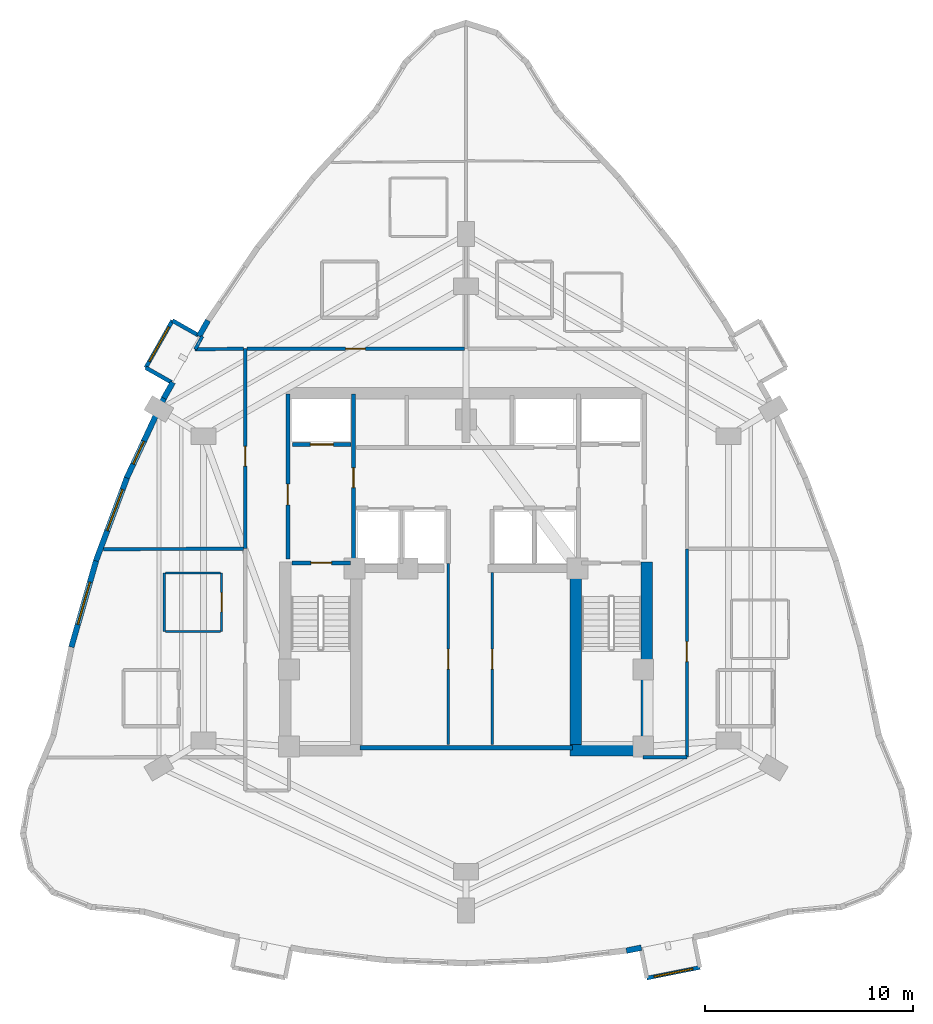
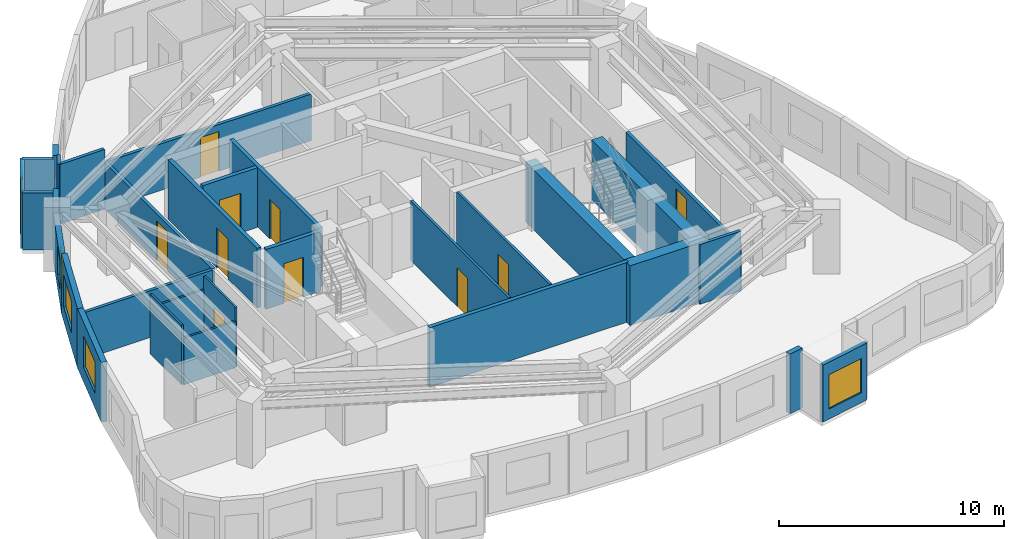
# One storey, part 6 of 10: 31 walls, 10 doors, 5 windows, 15 openings.
"""IFC4 building model written with IfcOpenShell, lengths in metres."""

from ifc_helpers import new_model, si_unit, direction, frame, frame_2d, origin, place, context, subcontext, project, spatial, rectangle, extrude, material, layer, layer_set, type_object, element, fill, save


model = new_model("IFC4")

# Units and contexts
model_context = context("Model", 3, precision=1e-05, world=origin(), true_north=direction((0.0, 1.0)))
body_context = subcontext(model_context, "Body", "Model", "MODEL_VIEW")
ifc_project = project(units=[si_unit("LENGTHUNIT", "METRE"), si_unit("AREAUNIT", "SQUARE_METRE"), si_unit("VOLUMEUNIT", "CUBIC_METRE"), si_unit("PLANEANGLEUNIT", "RADIAN"), si_unit("MASSUNIT", "GRAM", prefix="KILO")], contexts=[model_context])

# Site, building, storey
site_placement = place(None, origin())
site = spatial("IfcSite", under=ifc_project, at=site_placement, CompositionType="ELEMENT")
building_placement = place(site_placement, origin())
building = spatial("IfcBuilding", under=site, at=building_placement, Name="Miruveldt Soraemaru", CompositionType="ELEMENT")
storey_placement = place(building_placement, frame((0.0, 0.0, 166.89990234375)))
storey = spatial("IfcBuildingStorey", under=building, at=storey_placement, Name="L46", CompositionType="ELEMENT", Elevation=166.89990234375)

# Walls
ifc_material_1 = material(Name="White powder-coated aluminium EN AW-6060 T6", Category="aluminium")
ifc_layer_1 = layer(ifc_material_1, 0.18994140625, Name="White powder-coated aluminium EN AW-6060 T6", Category="aluminium")
ifc_layer_set_1 = layer_set([ifc_layer_1], Name="White powder-coated aluminium EN AW-6060 T6")
wall_type_1 = type_object("IfcWallType", Name="WALL-BAY-ALU190", PredefinedType="SOLIDWALL", material=ifc_layer_set_1)
for number, where, z_axis, x_axis, name in (
    (1, (31.150634765625, 55.244140625, 0.0), (0.0, 0.0, 1.0), (-0.869799191674, 0.493405883794, 0.0), "L46 Bay Window Side Cheek 1L"),
    (2, (28.62841796875, 53.685791015625, 0.0), (0.0, 0.0, 1.0), (0.869799191674, -0.493405883794, 0.0), "L46 Bay Window Side Cheek 1R"),
):
    element("IfcWall", number, at=place(storey_placement, frame(where, z_axis=z_axis, x_axis=x_axis)), inside=storey, type_object=wall_type_1, Name=name, PredefinedType="SOLIDWALL", context=body_context, shape_type="SweptSolid", body=[
        extrude(rectangle(XDim=1.425048828125, YDim=0.18994140625, at=frame_2d((0.71240234375, 0.0))), origin(), (0.0, 0.0, 1.0), 3.085205078125),
    ])

# Wall, opening, window
wall_1_placement = place(storey_placement, frame((29.9111328125, 55.947265625, 0.0), z_axis=(0.0, 0.0, 1.0), x_axis=(-0.493365555553, -0.869822067203, 0.0)))
wall_1 = element("IfcWall", 3, at=wall_1_placement, inside=storey, type_object=wall_type_1, Name="L46 Bay Window Front Frame 1", PredefinedType="SOLIDWALL", context=body_context, shape_type="SweptSolid", body=[
    extrude(rectangle(XDim=2.599853515625, YDim=0.18994140625, at=frame_2d((1.2998046875, 0.0))), origin(), (0.0, 0.0, 1.0), 3.085205078125),
])
opening_1_placement = place(wall_1_placement, frame((0.35009765625, 0.0, 0.550048828125)))
opening_1 = element("IfcOpeningElement", 4, at=opening_1_placement, cuts=wall_1, Name="Opening WN-6", PredefinedType="OPENING", context=body_context, shape_type="SweptSolid", body=[
    extrude(rectangle(XDim=1.89990234375, YDim=1.85009765625, at=frame_2d((0.949951171875, 0.925048828125))), frame((0.0, 0.10498046875, 0.0), z_axis=(0.0, -1.0, 0.0), x_axis=(1.0, 0.0, 0.0)), (0.0, 0.0, 1.0), 0.2099609375),
])
ifc_material_2 = material(Name="Triple low-e insulated glazing", Category="glass")
window_type_1 = type_object("IfcWindowType", Name="WIN-BAYW-1900x1850", PartitioningType="SINGLE_PANEL", PredefinedType="WINDOW", material=ifc_material_2)
window_1_placement = place(opening_1_placement, origin())
window_1 = element("IfcWindow", 5, at=window_1_placement, inside=storey, type_object=window_type_1, Name="L46 Projecting Bay Window 1", OverallHeight=1.85009765625, OverallWidth=1.89990234375, PartitioningType="SINGLE_PANEL", PredefinedType="WINDOW", context=body_context, shape_type="SweptSolid", body=[
    extrude(rectangle(XDim=1.89990234375, YDim=1.85009765625, at=frame_2d((0.949951171875, 0.925048828125))), frame((0.0, 0.030029296875, 0.0), z_axis=(0.0, -1.0, 0.0), x_axis=(1.0, 0.0, 0.0)), (0.0, 0.0, 1.0), 0.06005859375),
])
fill(opening_1, window_1)

wall_2_placement = place(storey_placement, frame((52.6748046875, 24.39599609375, 0.0), z_axis=(0.0, 0.0, 1.0), x_axis=(0.980569838849, 0.196170311564, 0.0)))
wall_2 = element("IfcWall", 6, at=wall_2_placement, inside=storey, type_object=wall_type_1, Name="L46 Bay Window Front Frame 3", PredefinedType="SOLIDWALL", context=body_context, shape_type="SweptSolid", body=[
    extrude(rectangle(XDim=2.599853515625, YDim=0.18994140625, at=frame_2d((1.2998046875, 0.0))), origin(), (0.0, 0.0, 1.0), 3.085205078125),
])
opening_2_placement = place(wall_2_placement, frame((0.35009765625, 0.0, 0.550048828125)))
opening_2 = element("IfcOpeningElement", 7, at=opening_2_placement, cuts=wall_2, Name="Opening WN-6", PredefinedType="OPENING", context=body_context, shape_type="SweptSolid", body=[
    extrude(rectangle(XDim=1.89990234375, YDim=1.85009765625, at=frame_2d((0.949951171875, 0.925048828125))), frame((0.0, 0.10498046875, 0.0), z_axis=(0.0, -1.0, 0.0), x_axis=(1.0, 0.0, 0.0)), (0.0, 0.0, 1.0), 0.2099609375),
])
window_2_placement = place(opening_2_placement, origin())
window_2 = element("IfcWindow", 8, at=window_2_placement, inside=storey, type_object=window_type_1, Name="L46 Projecting Bay Window 3", OverallHeight=1.85009765625, OverallWidth=1.89990234375, PartitioningType="SINGLE_PANEL", PredefinedType="WINDOW", context=body_context, shape_type="SweptSolid", body=[
    extrude(rectangle(XDim=1.89990234375, YDim=1.85009765625, at=frame_2d((0.949951171875, 0.925048828125))), frame((0.0, 0.030029296875, 0.0), z_axis=(0.0, -1.0, 0.0), x_axis=(1.0, 0.0, 0.0)), (0.0, 0.0, 1.0), 0.06005859375),
])
fill(opening_2, window_2)

# Walls
ifc_material_3 = material(Name="Concrete C70/85 (70 MPa)", Category="concrete")
ifc_layer_2 = layer(ifc_material_3, 0.550048828125, Name="Concrete C70/85 (70 MPa)", Category="concrete")
ifc_layer_set_2 = layer_set([ifc_layer_2], Name="Concrete C70/85 (70 MPa)")
wall_type_2 = type_object("IfcWallType", Name="WALL-CW-550", PredefinedType="SHEAR", material=ifc_layer_set_2)
wall_3_placement = place(storey_placement, frame((49.0, 35.324951171875, 0.0), z_axis=(0.0, 0.0, 1.0), x_axis=(1.0, 0.0, 0.0)))
element("IfcWall", 9, at=wall_3_placement, inside=storey, type_object=wall_type_2, Name="L46 Central Core Shear Wall S2", PredefinedType="SHEAR", context=body_context, shape_type="SweptSolid", body=[
    extrude(rectangle(XDim=3.949951171875, YDim=0.550048828125, at=frame_2d((1.97509765625, 0.0))), origin(), (0.0, 0.0, 1.0), 3.235107421875),
])
wall_4_placement = place(storey_placement, frame((52.675048828125, 35.050048828125, 0.0), z_axis=(0.0, 0.0, 1.0), x_axis=(0.0, 1.0, 0.0)))
element("IfcWall", 10, at=wall_4_placement, inside=storey, type_object=wall_type_2, Name="L46 Central Core Shear Wall E1", PredefinedType="SHEAR", context=body_context, shape_type="SweptSolid", body=[
    extrude(rectangle(XDim=9.300048828125, YDim=0.550048828125, at=frame_2d((4.64990234375, 0.0))), origin(), (0.0, 0.0, 1.0), 3.235107421875),
])
wall_5_placement = place(storey_placement, frame((49.27490234375, 35.39990234375, 0.0), z_axis=(0.0, 0.0, 1.0), x_axis=(0.0, 1.0, 0.0)))
element("IfcWall", 11, at=wall_5_placement, inside=storey, type_object=wall_type_2, Name="L46 Central Core Shear Wall SE-INT", PredefinedType="SHEAR", context=body_context, shape_type="SweptSolid", body=[
    extrude(rectangle(XDim=8.9501953125, YDim=0.550048828125, at=frame_2d((4.47509765625, 0.0))), origin(), (0.0, 0.0, 1.0), 3.235107421875),
])
ifc_material_4 = material(Name="Precast concrete C45/55 (45 MPa)", Category="concrete")
ifc_layer_3 = layer(ifc_material_4, 0.27001953125, Name="Precast concrete C45/55 (45 MPa)", Category="concrete")
ifc_layer_set_3 = layer_set([ifc_layer_3], Name="Precast concrete C45/55 (45 MPa)")
wall_type_3 = type_object("IfcWallType", Name="WALL-EXT-PC270", PredefinedType="SOLIDWALL", material=ifc_layer_set_3)
for number, where, z_axis, x_axis, name in (
    (12, (31.615234375, 55.951904296875, 0.0), (0.0, 0.0, 1.0), (-0.493371618473, -0.86981862827, 0.0), "L46 Precast Pier Wall 10A"),
    (13, (29.930419921875, 52.981689453125, 0.0), (0.0, 0.0, 1.0), (-0.493371618473, -0.86981862827, 0.0), "L46 Precast Pier Wall 10B"),
):
    element("IfcWall", number, at=place(storey_placement, frame(where, z_axis=z_axis, x_axis=x_axis)), inside=storey, type_object=wall_type_3, Name=name, PredefinedType="SOLIDWALL", context=body_context, shape_type="SweptSolid", body=[
        extrude(rectangle(XDim=0.875, YDim=0.27001953125, at=frame_2d((0.4375, 0.0))), origin(), (0.0, 0.0, 1.0), 3.235107421875),
    ])

# Wall, opening, window
wall_6_placement = place(storey_placement, frame((29.531005859375, 52.282958984375, 0.0), z_axis=(0.0, 0.0, 1.0), x_axis=(-0.422296510574, -0.906457752549, 0.0)))
wall_6 = element("IfcWall", 14, at=wall_6_placement, inside=storey, type_object=wall_type_3, Name="L46 Precast Concrete Facade Wall 11", PredefinedType="SOLIDWALL", context=body_context, shape_type="SweptSolid", body=[
    extrude(rectangle(XDim=4.289794921875, YDim=0.27001953125, at=frame_2d((2.14501953125, 0.0))), origin(), (0.0, 0.0, 1.0), 2.523193359375),
])
opening_3_placement = place(wall_6_placement, frame((2.34912109375, 0.0, 0.780029296875)))
opening_3 = element("IfcOpeningElement", 15, at=opening_3_placement, cuts=wall_6, Name="Opening WN-4", PredefinedType="OPENING", context=body_context, shape_type="SweptSolid", body=[
    extrude(rectangle(XDim=1.199951171875, YDim=1.550048828125, at=frame_2d((0.60009765625, 0.77490234375))), frame((0.0, 0.14501953125, 0.0), z_axis=(0.0, -1.0, 0.0), x_axis=(1.0, 0.0, 0.0)), (0.0, 0.0, 1.0), 0.2900390625),
])
window_type_2 = type_object("IfcWindowType", Name="WIN-PUNCH-1200x1550", PartitioningType="SINGLE_PANEL", PredefinedType="WINDOW", material=ifc_material_2)
window_3_placement = place(opening_3_placement, origin())
window_3 = element("IfcWindow", 16, at=window_3_placement, inside=storey, type_object=window_type_2, Name="L46 Punched Triple-Glazed Window 11.1", OverallHeight=1.550048828125, OverallWidth=1.199951171875, PartitioningType="SINGLE_PANEL", PredefinedType="WINDOW", context=body_context, shape_type="SweptSolid", body=[
    extrude(rectangle(XDim=1.199951171875, YDim=1.550048828125, at=frame_2d((0.60009765625, 0.77490234375))), frame((0.0, 0.030029296875, 0.0), z_axis=(0.0, -1.0, 0.0), x_axis=(1.0, 0.0, 0.0)), (0.0, 0.0, 1.0), 0.06005859375),
])
fill(opening_3, window_3)

wall_7_placement = place(storey_placement, frame((27.74658203125, 48.458984375, 0.0), z_axis=(0.0, 0.0, 1.0), x_axis=(-0.349039876874, -0.937107872313, 0.0)))
wall_7 = element("IfcWall", 17, at=wall_7_placement, inside=storey, type_object=wall_type_3, Name="L46 Precast Concrete Facade Wall 12", PredefinedType="SOLIDWALL", context=body_context, shape_type="SweptSolid", body=[
    extrude(rectangle(XDim=4.31640625, YDim=0.27001953125, at=frame_2d((2.158203125, 0.0))), origin(), (0.0, 0.0, 1.0), 3.235107421875),
])
opening_4_placement = place(wall_7_placement, frame((0.660888671875, 0.0, 0.800048828125)))
opening_4 = element("IfcOpeningElement", 18, at=opening_4_placement, cuts=wall_7, Name="Opening WN-1", PredefinedType="OPENING", context=body_context, shape_type="SweptSolid", body=[
    extrude(rectangle(XDim=2.10009765625, YDim=1.699951171875, at=frame_2d((1.050048828125, 0.85009765625))), frame((0.0, 0.14501953125, 0.0), z_axis=(0.0, -1.0, 0.0), x_axis=(1.0, 0.0, 0.0)), (0.0, 0.0, 1.0), 0.2900390625),
])
window_type_3 = type_object("IfcWindowType", Name="WIN-PUNCH-2100x1700", PartitioningType="SINGLE_PANEL", PredefinedType="WINDOW", material=ifc_material_2)
window_4_placement = place(opening_4_placement, origin())
window_4 = element("IfcWindow", 19, at=window_4_placement, inside=storey, type_object=window_type_3, Name="L46 Punched Triple-Glazed Window 12.1", OverallHeight=1.699951171875, OverallWidth=2.10009765625, PartitioningType="SINGLE_PANEL", PredefinedType="WINDOW", context=body_context, shape_type="SweptSolid", body=[
    extrude(rectangle(XDim=2.10009765625, YDim=1.699951171875, at=frame_2d((1.050048828125, 0.85009765625))), frame((0.0, 0.030029296875, 0.0), z_axis=(0.0, -1.0, 0.0), x_axis=(1.0, 0.0, 0.0)), (0.0, 0.0, 1.0), 0.06005859375),
])
fill(opening_4, window_4)

wall_8_placement = place(storey_placement, frame((26.26171875, 44.480712890625, 0.0), z_axis=(0.0, 0.0, 1.0), x_axis=(-0.274935112835, -0.961462783331, 0.0)))
wall_8 = element("IfcWall", 20, at=wall_8_placement, inside=storey, type_object=wall_type_3, Name="L46 Precast Concrete Facade Wall 13", PredefinedType="SOLIDWALL", context=body_context, shape_type="SweptSolid", body=[
    extrude(rectangle(XDim=4.369873046875, YDim=0.27001953125, at=frame_2d((2.18505859375, 0.0))), origin(), (0.0, 0.0, 1.0), 3.235107421875),
])
opening_5_placement = place(wall_8_placement, frame((1.135009765625, 0.0, 0.800048828125)))
opening_5 = element("IfcOpeningElement", 21, at=opening_5_placement, cuts=wall_8, Name="Opening WN-1", PredefinedType="OPENING", context=body_context, shape_type="SweptSolid", body=[
    extrude(rectangle(XDim=2.10009765625, YDim=1.699951171875, at=frame_2d((1.050048828125, 0.85009765625))), frame((0.0, 0.14501953125, 0.0), z_axis=(0.0, -1.0, 0.0), x_axis=(1.0, 0.0, 0.0)), (0.0, 0.0, 1.0), 0.2900390625),
])
window_5_placement = place(opening_5_placement, origin())
window_5 = element("IfcWindow", 22, at=window_5_placement, inside=storey, type_object=window_type_3, Name="L46 Punched Triple-Glazed Window 13.1", OverallHeight=1.699951171875, OverallWidth=2.10009765625, PartitioningType="SINGLE_PANEL", PredefinedType="WINDOW", context=body_context, shape_type="SweptSolid", body=[
    extrude(rectangle(XDim=2.10009765625, YDim=1.699951171875, at=frame_2d((1.050048828125, 0.85009765625))), frame((0.0, 0.030029296875, 0.0), z_axis=(0.0, -1.0, 0.0), x_axis=(1.0, 0.0, 0.0)), (0.0, 0.0, 1.0), 0.06005859375),
])
fill(opening_5, window_5)

# Wall
wall_9_placement = place(storey_placement, frame((51.693115234375, 25.708984375, 0.0), z_axis=(0.0, 0.0, 1.0), x_axis=(0.980542330577, 0.196307763337, 0.0)))
element("IfcWall", 23, at=wall_9_placement, inside=storey, type_object=wall_type_3, Name="L46 Precast Pier Wall 27A", PredefinedType="SOLIDWALL", context=body_context, shape_type="SweptSolid", body=[
    extrude(rectangle(XDim=0.735107421875, YDim=0.27001953125, at=frame_2d((0.36767578125, 0.0))), origin(), (0.0, 0.0, 1.0), 3.235107421875),
])

# Wall, opening, door
ifc_material_5 = material(Name="Gypsum plasterboard lining", Category="gypsum")
ifc_layer_4 = layer(ifc_material_5, 0.10009765625, Name="Gypsum plasterboard lining", Category="gypsum")
ifc_layer_set_4 = layer_set([ifc_layer_4], Name="Gypsum plasterboard lining")
wall_type_4 = type_object("IfcWallType", Name="WALL-INT-P100", PredefinedType="PARTITIONING", material=ifc_layer_set_4)
wall_10_placement = place(storey_placement, frame((32.26611328125, 41.030029296875, 0.0), z_axis=(0.0, 0.0, 1.0), x_axis=(0.0, 1.0, 0.0)))
wall_10 = element("IfcWall", 24, at=wall_10_placement, inside=storey, type_object=wall_type_4, Name="L46 Partition Wall 38", PredefinedType="PARTITIONING", context=body_context, shape_type="SweptSolid", body=[
    extrude(rectangle(XDim=2.800048828125, YDim=0.10009765625, at=frame_2d((1.39990234375, 0.0))), origin(), (0.0, 0.0, 1.0), 3.235107421875),
])
opening_6_placement = place(wall_10_placement, frame((0.93994140625, 0.0, 0.0)))
opening_6 = element("IfcOpeningElement", 25, at=opening_6_placement, cuts=wall_10, Name="Opening D3A", PredefinedType="OPENING", context=body_context, shape_type="SweptSolid", body=[
    extrude(rectangle(XDim=0.919921875, YDim=2.10009765625, at=frame_2d((0.4599609375, 1.050048828125))), frame((0.0, 0.06005859375, 0.0), z_axis=(0.0, -1.0, 0.0), x_axis=(1.0, 0.0, 0.0)), (0.0, 0.0, 1.0), 0.1201171875),
])
ifc_material_6 = material(Name="Anodised aluminium EN AW-6063 T6", Category="aluminium")
door_type_1 = type_object("IfcDoorType", Name="DOOR-INT-920", OperationType="NOTDEFINED", PredefinedType="DOOR", material=ifc_material_6)
door_1_placement = place(opening_6_placement, origin())
door_1 = element("IfcDoor", 26, at=door_1_placement, inside=storey, type_object=door_type_1, Name="L46 Unit 4604 KIT Door", OperationType="SINGLE_SWING_LEFT", OverallHeight=2.10009765625, OverallWidth=0.919921875, PredefinedType="DOOR", context=body_context, shape_type="SweptSolid", body=[
    extrude(rectangle(XDim=0.919921875, YDim=2.10009765625, at=frame_2d((0.4599609375, 1.050048828125))), frame((0.0, 0.02490234375, 0.0), z_axis=(0.0, -1.0, 0.0), x_axis=(1.0, 0.0, 0.0)), (0.0, 0.0, 1.0), 0.050048828125),
])
fill(opening_6, door_1)

# Walls
wall_11_placement = place(storey_placement, frame((29.51611328125, 43.830078125, 0.0), z_axis=(0.0, 0.0, 1.0), x_axis=(0.0, -1.0, 0.0)))
element("IfcWall", 27, at=wall_11_placement, inside=storey, type_object=wall_type_4, Name="L46 Partition Wall 40", PredefinedType="PARTITIONING", context=body_context, shape_type="SweptSolid", body=[
    extrude(rectangle(XDim=2.800048828125, YDim=0.10009765625, at=frame_2d((1.39990234375, 0.0))), origin(), (0.0, 0.0, 1.0), 3.235107421875),
])
for number, where, z_axis, x_axis, name in (
    (28, (32.216064453125, 43.830078125, 0.0), (0.0, 0.0, 1.0), (-1.0, 0.0, 0.0), "L46 Partition Wall 39"),
    (29, (29.56591796875, 41.030029296875, 0.0), (0.0, 0.0, 1.0), (1.0, 0.0, 0.0), "L46 Partition Wall 41"),
):
    element("IfcWall", number, at=place(storey_placement, frame(where, z_axis=z_axis, x_axis=x_axis)), inside=storey, type_object=wall_type_4, Name=name, PredefinedType="PARTITIONING", context=body_context, shape_type="SweptSolid", body=[
        extrude(rectangle(XDim=2.650146484375, YDim=0.10009765625, at=frame_2d((1.3251953125, 0.0))), origin(), (0.0, 0.0, 1.0), 2.523193359375),
    ])

# Wall, opening, door
ifc_layer_5 = layer(ifc_material_5, 0.1201171875, Name="Gypsum plasterboard lining", Category="gypsum")
ifc_layer_set_5 = layer_set([ifc_layer_5], Name="Gypsum plasterboard lining")
wall_type_5 = type_object("IfcWallType", Name="WALL-INT-P120", PredefinedType="PARTITIONING", material=ifc_layer_set_5)
wall_12_placement = place(storey_placement, frame((43.14990234375, 35.60009765625, 0.0), z_axis=(0.0, 0.0, 1.0), x_axis=(0.0, 1.0, 0.0)))
wall_12 = element("IfcWall", 30, at=wall_12_placement, inside=storey, type_object=wall_type_5, Name="L46 Core Compartment Wall SP-WL", PredefinedType="PARTITIONING", context=body_context, shape_type="SweptSolid", body=[
    extrude(rectangle(XDim=8.699951171875, YDim=0.1201171875, at=frame_2d((4.35009765625, 0.0))), origin(), (0.0, 0.0, 1.0), 3.235107421875),
])
opening_7_placement = place(wall_12_placement, frame((3.625, 0.0, 0.0)))
opening_7 = element("IfcOpeningElement", 31, at=opening_7_placement, cuts=wall_12, Name="Opening D2", PredefinedType="OPENING", context=body_context, shape_type="SweptSolid", body=[
    extrude(rectangle(XDim=0.949951171875, YDim=2.10009765625, at=frame_2d((0.47509765625, 1.050048828125))), frame((0.0, 0.070068359375, 0.0), z_axis=(0.0, -1.0, 0.0), x_axis=(1.0, 0.0, 0.0)), (0.0, 0.0, 1.0), 0.14013671875),
])
door_type_2 = type_object("IfcDoorType", Name="DOOR-INT-950", OperationType="NOTDEFINED", PredefinedType="DOOR", material=ifc_material_6)
door_2_placement = place(opening_7_placement, origin())
door_2 = element("IfcDoor", 32, at=door_2_placement, inside=storey, type_object=door_type_2, Name="L46 Fire Door", OperationType="SINGLE_SWING_LEFT", OverallHeight=2.10009765625, OverallWidth=0.949951171875, PredefinedType="DOOR", context=body_context, shape_type="SweptSolid", body=[
    extrude(rectangle(XDim=0.949951171875, YDim=2.10009765625, at=frame_2d((0.47509765625, 1.050048828125))), frame((0.0, 0.02490234375, 0.0), z_axis=(0.0, -1.0, 0.0), x_axis=(1.0, 0.0, 0.0)), (0.0, 0.0, 1.0), 0.050048828125),
])
fill(opening_7, door_2)

wall_13_placement = place(storey_placement, frame((45.25, 35.60009765625, 0.0), z_axis=(0.0, 0.0, 1.0), x_axis=(0.0, 1.0, 0.0)))
wall_13 = element("IfcWall", 33, at=wall_13_placement, inside=storey, type_object=wall_type_5, Name="L46 Core Compartment Wall SP-EL", PredefinedType="PARTITIONING", context=body_context, shape_type="SweptSolid", body=[
    extrude(rectangle(XDim=8.25, YDim=0.1201171875, at=frame_2d((4.125, 0.0))), origin(), (0.0, 0.0, 1.0), 3.235107421875),
])
opening_8_placement = place(wall_13_placement, frame((3.625, 0.0, 0.0)))
opening_8 = element("IfcOpeningElement", 34, at=opening_8_placement, cuts=wall_13, Name="Opening D2", PredefinedType="OPENING", context=body_context, shape_type="SweptSolid", body=[
    extrude(rectangle(XDim=0.949951171875, YDim=2.10009765625, at=frame_2d((0.47509765625, 1.050048828125))), frame((0.0, 0.070068359375, 0.0), z_axis=(0.0, -1.0, 0.0), x_axis=(1.0, 0.0, 0.0)), (0.0, 0.0, 1.0), 0.14013671875),
])
door_3_placement = place(opening_8_placement, origin())
door_3 = element("IfcDoor", 35, at=door_3_placement, inside=storey, type_object=door_type_2, Name="L46 Fire Door", OperationType="SINGLE_SWING_LEFT", OverallHeight=2.10009765625, OverallWidth=0.949951171875, PredefinedType="DOOR", context=body_context, shape_type="SweptSolid", body=[
    extrude(rectangle(XDim=0.949951171875, YDim=2.10009765625, at=frame_2d((0.47509765625, 1.050048828125))), frame((0.0, 0.02490234375, 0.0), z_axis=(0.0, -1.0, 0.0), x_axis=(1.0, 0.0, 0.0)), (0.0, 0.0, 1.0), 0.050048828125),
])
fill(opening_8, door_3)

ifc_material_7 = material(Name="Concrete C40/50 (40 MPa)", Category="concrete")
ifc_layer_6 = layer(ifc_material_7, 0.159912109375, Name="Concrete C40/50 (40 MPa)", Category="concrete")
ifc_layer_set_6 = layer_set([ifc_layer_6], Name="Concrete C40/50 (40 MPa)")
wall_type_6 = type_object("IfcWallType", Name="WALL-INT-RC160", PredefinedType="SOLIDWALL", material=ifc_layer_set_6)
wall_14_placement = place(storey_placement, frame((43.9169921875, 54.60009765625, 0.0), z_axis=(0.0, 0.0, 1.0), x_axis=(-1.0, 0.0, 0.0)))
wall_14 = element("IfcWall", 36, at=wall_14_placement, inside=storey, type_object=wall_type_6, Name="L46 Partition Wall 1", PredefinedType="SOLIDWALL", context=body_context, shape_type="SweptSolid", body=[
    extrude(rectangle(XDim=10.43701171875, YDim=0.159912109375, at=frame_2d((5.218505859375, 0.0))), origin(), (0.0, 0.0, 1.0), 2.523193359375),
])
opening_9_placement = place(wall_14_placement, frame((4.743896484375, 0.0, 0.0)))
opening_9 = element("IfcOpeningElement", 37, at=opening_9_placement, cuts=wall_14, Name="Opening FD2", PredefinedType="OPENING", context=body_context, shape_type="SweptSolid", body=[
    extrude(rectangle(XDim=0.949951171875, YDim=2.14990234375, at=frame_2d((0.47509765625, 1.074951171875))), frame((0.0, 0.08984375, 0.0), z_axis=(0.0, -1.0, 0.0), x_axis=(1.0, 0.0, 0.0)), (0.0, 0.0, 1.0), 0.179931640625),
])
door_type_3 = type_object("IfcDoorType", Name="DOOR-FD2-950", OperationType="NOTDEFINED", PredefinedType="DOOR", material=ifc_material_6)
door_4_placement = place(opening_9_placement, origin())
door_4 = element("IfcDoor", 38, at=door_4_placement, inside=storey, type_object=door_type_3, Name="L46 Unit 4601 Entrance Fire Door", OperationType="SINGLE_SWING_RIGHT", OverallHeight=2.14990234375, OverallWidth=0.949951171875, PredefinedType="DOOR", context=body_context, shape_type="SweptSolid", body=[
    extrude(rectangle(XDim=0.949951171875, YDim=2.14990234375, at=frame_2d((0.47509765625, 1.074951171875))), frame((0.0, 0.02490234375, 0.0), z_axis=(0.0, -1.0, 0.0), x_axis=(1.0, 0.0, 0.0)), (0.0, 0.0, 1.0), 0.050048828125),
])
fill(opening_9, door_4)

wall_15_placement = place(storey_placement, frame((54.60009765625, 35.0, 0.0), z_axis=(0.0, 0.0, 1.0), x_axis=(0.0, 1.0, 0.0)))
wall_15 = element("IfcWall", 39, at=wall_15_placement, inside=storey, type_object=wall_type_6, Name="L46 Partition Wall 10", PredefinedType="SOLIDWALL", context=body_context, shape_type="SweptSolid", body=[
    extrude(rectangle(XDim=9.992919921875, YDim=0.159912109375, at=frame_2d((4.99658203125, 0.0))), origin(), (0.0, 0.0, 1.0), 2.523193359375),
])
opening_10_placement = place(wall_15_placement, frame((4.5849609375, 0.0, 0.0)))
opening_10 = element("IfcOpeningElement", 40, at=opening_10_placement, cuts=wall_15, Name="Opening FD2", PredefinedType="OPENING", context=body_context, shape_type="SweptSolid", body=[
    extrude(rectangle(XDim=0.949951171875, YDim=2.14990234375, at=frame_2d((0.47509765625, 1.074951171875))), frame((0.0, 0.08984375, 0.0), z_axis=(0.0, -1.0, 0.0), x_axis=(1.0, 0.0, 0.0)), (0.0, 0.0, 1.0), 0.179931640625),
])
door_5_placement = place(opening_10_placement, origin())
door_5 = element("IfcDoor", 41, at=door_5_placement, inside=storey, type_object=door_type_3, Name="L46 Unit 4606 Entrance Fire Door", OperationType="SINGLE_SWING_LEFT", OverallHeight=2.14990234375, OverallWidth=0.949951171875, PredefinedType="DOOR", context=body_context, shape_type="SweptSolid", body=[
    extrude(rectangle(XDim=0.949951171875, YDim=2.14990234375, at=frame_2d((0.47509765625, 1.074951171875))), frame((0.0, 0.02490234375, 0.0), z_axis=(0.0, -1.0, 0.0), x_axis=(1.0, 0.0, 0.0)), (0.0, 0.0, 1.0), 0.050048828125),
])
fill(opening_10, door_5)

wall_16_placement = place(storey_placement, frame((33.39990234375, 54.60009765625, 0.0), z_axis=(0.0, 0.0, 1.0), x_axis=(0.0, -1.0, 0.0)))
wall_16 = element("IfcWall", 42, at=wall_16_placement, inside=storey, type_object=wall_type_6, Name="L46 Partition Wall 3", PredefinedType="SOLIDWALL", context=body_context, shape_type="SweptSolid", body=[
    extrude(rectangle(XDim=9.60009765625, YDim=0.159912109375, at=frame_2d((4.800048828125, 0.0))), origin(), (0.0, 0.0, 1.0), 2.523193359375),
])
opening_11_placement = place(wall_16_placement, frame((4.68505859375, 0.0, 0.0)))
opening_11 = element("IfcOpeningElement", 43, at=opening_11_placement, cuts=wall_16, Name="Opening FD2", PredefinedType="OPENING", context=body_context, shape_type="SweptSolid", body=[
    extrude(rectangle(XDim=0.949951171875, YDim=2.14990234375, at=frame_2d((0.47509765625, 1.074951171875))), frame((0.0, 0.08984375, 0.0), z_axis=(0.0, -1.0, 0.0), x_axis=(1.0, 0.0, 0.0)), (0.0, 0.0, 1.0), 0.179931640625),
])
door_6_placement = place(opening_11_placement, origin())
door_6 = element("IfcDoor", 44, at=door_6_placement, inside=storey, type_object=door_type_3, Name="L46 Unit CL03 Entrance Fire Door", OperationType="SINGLE_SWING_RIGHT", OverallHeight=2.14990234375, OverallWidth=0.949951171875, PredefinedType="DOOR", context=body_context, shape_type="SweptSolid", body=[
    extrude(rectangle(XDim=0.949951171875, YDim=2.14990234375, at=frame_2d((0.47509765625, 1.074951171875))), frame((0.0, 0.02490234375, 0.0), z_axis=(0.0, -1.0, 0.0), x_axis=(1.0, 0.0, 0.0)), (0.0, 0.0, 1.0), 0.050048828125),
])
fill(opening_11, door_6)

# Walls
wall_17_placement = place(storey_placement, frame((26.60888671875, 44.97509765625, 0.0), z_axis=(0.0, 0.0, 1.0), x_axis=(0.999993115887, 0.003710549595, 0.0)))
element("IfcWall", 45, at=wall_17_placement, inside=storey, type_object=wall_type_6, Name="L46 Partition Wall 33", PredefinedType="SOLIDWALL", context=body_context, shape_type="SweptSolid", body=[
    extrude(rectangle(XDim=6.711181640625, YDim=0.159912109375, at=frame_2d((3.35546875, 0.0))), origin(), (0.0, 0.0, 1.0), 2.523193359375),
])
wall_18_placement = place(storey_placement, frame((31.0009765625, 54.56494140625, 0.0), z_axis=(0.0, 0.0, 1.0), x_axis=(0.999891407569, 0.014736793037, 0.0)))
element("IfcWall", 46, at=wall_18_placement, inside=storey, type_object=wall_type_6, Name="L46 Partition Wall 21", PredefinedType="SOLIDWALL", context=body_context, shape_type="SweptSolid", body=[
    extrude(rectangle(XDim=2.3193359375, YDim=0.159912109375, at=frame_2d((1.15966796875, 0.0))), origin(), (0.0, 0.0, 1.0), 3.235107421875),
])
wall_19_placement = place(storey_placement, frame((52.49609375, 35.0, 0.0), z_axis=(0.0, 0.0, 1.0), x_axis=(1.0, 0.0, 0.0)))
element("IfcWall", 47, at=wall_19_placement, inside=storey, type_object=wall_type_6, Name="L46 Partition Wall 9", PredefinedType="SOLIDWALL", context=body_context, shape_type="SweptSolid", body=[
    extrude(rectangle(XDim=2.10400390625, YDim=0.159912109375, at=frame_2d((1.052001953125, 0.0))), origin(), (0.0, 0.0, 1.0), 3.235107421875),
])
wall_20_placement = place(storey_placement, frame((31.0009765625, 54.56494140625, 0.0), z_axis=(0.0, 0.0, 1.0), x_axis=(0.485062759836, 0.874479341677, 0.0)))
element("IfcWall", 48, at=wall_20_placement, inside=storey, type_object=wall_type_6, Name="L46 Partition Closure Return 1", PredefinedType="SOLIDWALL", context=body_context, shape_type="SweptSolid", body=[
    extrude(rectangle(XDim=0.714599609375, YDim=0.159912109375, at=frame_2d((0.357421875, 0.0))), origin(), (0.0, 0.0, 1.0), 3.235107421875),
])

# Wall, opening, door
ifc_layer_7 = layer(ifc_material_7, 0.199951171875, Name="Concrete C40/50 (40 MPa)", Category="concrete")
ifc_layer_set_7 = layer_set([ifc_layer_7], Name="Concrete C40/50 (40 MPa)")
wall_type_7 = type_object("IfcWallType", Name="WALL-INT-RC200", PredefinedType="SOLIDWALL", material=ifc_layer_set_7)
wall_21_placement = place(storey_placement, frame((35.449951171875, 44.5, 0.0), z_axis=(0.0, 0.0, 1.0), x_axis=(0.0, 1.0, 0.0)))
wall_21 = element("IfcWall", 49, at=wall_21_placement, inside=storey, type_object=wall_type_7, Name="L46 Core Compartment Wall FFW-OUT", PredefinedType="SOLIDWALL", context=body_context, shape_type="SweptSolid", body=[
    extrude(rectangle(XDim=7.919921875, YDim=0.199951171875, at=frame_2d((3.9599609375, 0.0))), origin(), (0.0, 0.0, 1.0), 3.235107421875),
])
opening_12_placement = place(wall_21_placement, frame((2.60009765625, 0.0, 0.0)))
opening_12 = element("IfcOpeningElement", 50, at=opening_12_placement, cuts=wall_21, Name="Opening FD1", PredefinedType="OPENING", context=body_context, shape_type="SweptSolid", body=[
    extrude(rectangle(XDim=1.0, YDim=2.14990234375, at=frame_2d((0.5, 1.074951171875))), frame((0.0, 0.10986328125, 0.0), z_axis=(0.0, -1.0, 0.0), x_axis=(1.0, 0.0, 0.0)), (0.0, 0.0, 1.0), 0.219970703125),
])
door_type_4 = type_object("IfcDoorType", Name="DOOR-FD1-1000", OperationType="NOTDEFINED", PredefinedType="DOOR", material=ifc_material_6)
door_7_placement = place(opening_12_placement, origin())
door_7 = element("IfcDoor", 51, at=door_7_placement, inside=storey, type_object=door_type_4, Name="L46 West Firefighting Lobby Exit Door", OperationType="SINGLE_SWING_LEFT", OverallHeight=2.14990234375, OverallWidth=1.0, PredefinedType="DOOR", context=body_context, shape_type="SweptSolid", body=[
    extrude(rectangle(XDim=1.0, YDim=2.14990234375, at=frame_2d((0.5, 1.074951171875))), frame((0.0, 0.02490234375, 0.0), z_axis=(0.0, -1.0, 0.0), x_axis=(1.0, 0.0, 0.0)), (0.0, 0.0, 1.0), 0.050048828125),
])
fill(opening_12, door_7)

wall_22_placement = place(storey_placement, frame((38.60009765625, 44.5, 0.0), z_axis=(0.0, 0.0, 1.0), x_axis=(0.0, 1.0, 0.0)))
wall_22 = element("IfcWall", 52, at=wall_22_placement, inside=storey, type_object=wall_type_7, Name="L46 Core Compartment Wall FFW-IN", PredefinedType="SOLIDWALL", context=body_context, shape_type="SweptSolid", body=[
    extrude(rectangle(XDim=7.919921875, YDim=0.199951171875, at=frame_2d((3.9599609375, 0.0))), origin(), (0.0, 0.0, 1.0), 3.235107421875),
])
opening_13_placement = place(wall_22_placement, frame((3.425048828125, 0.0, 0.0)))
opening_13 = element("IfcOpeningElement", 53, at=opening_13_placement, cuts=wall_22, Name="Opening FD2", PredefinedType="OPENING", context=body_context, shape_type="SweptSolid", body=[
    extrude(rectangle(XDim=0.949951171875, YDim=2.14990234375, at=frame_2d((0.47509765625, 1.074951171875))), frame((0.0, 0.10986328125, 0.0), z_axis=(0.0, -1.0, 0.0), x_axis=(1.0, 0.0, 0.0)), (0.0, 0.0, 1.0), 0.219970703125),
])
door_8_placement = place(opening_13_placement, frame((0.949951171875, 0.0, 0.0), z_axis=(0.0, 0.0, 1.0), x_axis=(-1.0, 0.0, 0.0)))
door_8 = element("IfcDoor", 54, at=door_8_placement, inside=storey, type_object=door_type_3, Name="L46 Lift Lobby to West Fire Lobby Door", OperationType="SINGLE_SWING_RIGHT", OverallHeight=2.14990234375, OverallWidth=0.949951171875, PredefinedType="DOOR", context=body_context, shape_type="SweptSolid", body=[
    extrude(rectangle(XDim=0.949951171875, YDim=2.14990234375, at=frame_2d((0.47509765625, 1.074951171875))), frame((0.0, 0.02490234375, 0.0), z_axis=(0.0, -1.0, 0.0), x_axis=(1.0, 0.0, 0.0)), (0.0, 0.0, 1.0), 0.050048828125),
])
fill(opening_13, door_8)

wall_23_placement = place(storey_placement, frame((35.64990234375, 44.320068359375, 0.0), z_axis=(0.0, 0.0, 1.0), x_axis=(1.0, 0.0, 0.0)))
wall_23 = element("IfcWall", 55, at=wall_23_placement, inside=storey, type_object=wall_type_7, Name="L46 Core Compartment Wall ST1-N", PredefinedType="SOLIDWALL", context=body_context, shape_type="SweptSolid", body=[
    extrude(rectangle(XDim=2.800048828125, YDim=0.199951171875, at=frame_2d((1.39990234375, 0.0))), origin(), (0.0, 0.0, 1.0), 3.235107421875),
])
opening_14_placement = place(wall_23_placement, frame((0.89990234375, 0.0, 0.0)))
opening_14 = element("IfcOpeningElement", 56, at=opening_14_placement, cuts=wall_23, Name="Opening FD1", PredefinedType="OPENING", context=body_context, shape_type="SweptSolid", body=[
    extrude(rectangle(XDim=1.0, YDim=2.14990234375, at=frame_2d((0.5, 1.074951171875))), frame((0.0, 0.10986328125, 0.0), z_axis=(0.0, -1.0, 0.0), x_axis=(1.0, 0.0, 0.0)), (0.0, 0.0, 1.0), 0.219970703125),
])
door_9_placement = place(opening_14_placement, frame((1.0, 0.0, 0.0), z_axis=(0.0, 0.0, 1.0), x_axis=(-1.0, 0.0, 0.0)))
door_9 = element("IfcDoor", 57, at=door_9_placement, inside=storey, type_object=door_type_4, Name="L46 Stair ST-1 Fire Door", OperationType="SINGLE_SWING_LEFT", OverallHeight=2.14990234375, OverallWidth=1.0, PredefinedType="DOOR", context=body_context, shape_type="SweptSolid", body=[
    extrude(rectangle(XDim=1.0, YDim=2.14990234375, at=frame_2d((0.5, 1.074951171875))), frame((0.0, 0.02490234375, 0.0), z_axis=(0.0, -1.0, 0.0), x_axis=(1.0, 0.0, 0.0)), (0.0, 0.0, 1.0), 0.050048828125),
])
fill(opening_14, door_9)

wall_24_placement = place(storey_placement, frame((35.679931640625, 50.0, 0.0), z_axis=(0.0, 0.0, 1.0), x_axis=(1.0, 0.0, 0.0)))
wall_24 = element("IfcWall", 58, at=wall_24_placement, inside=storey, type_object=wall_type_7, Name="L46 Core Compartment Wall FFL1-S", PredefinedType="SOLIDWALL", context=body_context, shape_type="SweptSolid", body=[
    extrude(rectangle(XDim=2.800048828125, YDim=0.199951171875, at=frame_2d((1.39990234375, 0.0))), origin(), (0.0, 0.0, 1.0), 3.235107421875),
])
opening_15_placement = place(wall_24_placement, frame((0.85009765625, 0.0, 0.0)))
opening_15 = element("IfcOpeningElement", 59, at=opening_15_placement, cuts=wall_24, Name="Opening LD2", PredefinedType="OPENING", context=body_context, shape_type="SweptSolid", body=[
    extrude(rectangle(XDim=1.10009765625, YDim=2.14990234375, at=frame_2d((0.550048828125, 1.074951171875))), frame((0.0, 0.10986328125, 0.0), z_axis=(0.0, -1.0, 0.0), x_axis=(1.0, 0.0, 0.0)), (0.0, 0.0, 1.0), 0.219970703125),
])
door_type_5 = type_object("IfcDoorType", Name="DOOR-LD2-1100", OperationType="SLIDING_TO_LEFT", PredefinedType="DOOR", material=ifc_material_6)
door_10_placement = place(opening_15_placement, origin())
door_10 = element("IfcDoor", 60, at=door_10_placement, inside=storey, type_object=door_type_5, Name="L46 FFL-1 Landing Door", OperationType="SLIDING_TO_LEFT", OverallHeight=2.14990234375, OverallWidth=1.10009765625, PredefinedType="DOOR", context=body_context, shape_type="SweptSolid", body=[
    extrude(rectangle(XDim=1.10009765625, YDim=2.14990234375, at=frame_2d((0.550048828125, 1.074951171875))), frame((0.0, 0.02490234375, 0.0), z_axis=(0.0, -1.0, 0.0), x_axis=(1.0, 0.0, 0.0)), (0.0, 0.0, 1.0), 0.050048828125),
])
fill(opening_15, door_10)

# Wall
wall_25_placement = place(storey_placement, frame((38.89990234375, 35.449951171875, 0.0), z_axis=(0.0, 0.0, 1.0), x_axis=(1.0, 0.0, 0.0)))
element("IfcWall", 61, at=wall_25_placement, inside=storey, type_object=wall_type_7, Name="L46 Core Compartment Wall CS-S", PredefinedType="SOLIDWALL", context=body_context, shape_type="SweptSolid", body=[
    extrude(rectangle(XDim=10.2001953125, YDim=0.199951171875, at=frame_2d((5.10009765625, 0.0))), origin(), (0.0, 0.0, 1.0), 3.235107421875),
])

save(model, "model.ifc")
